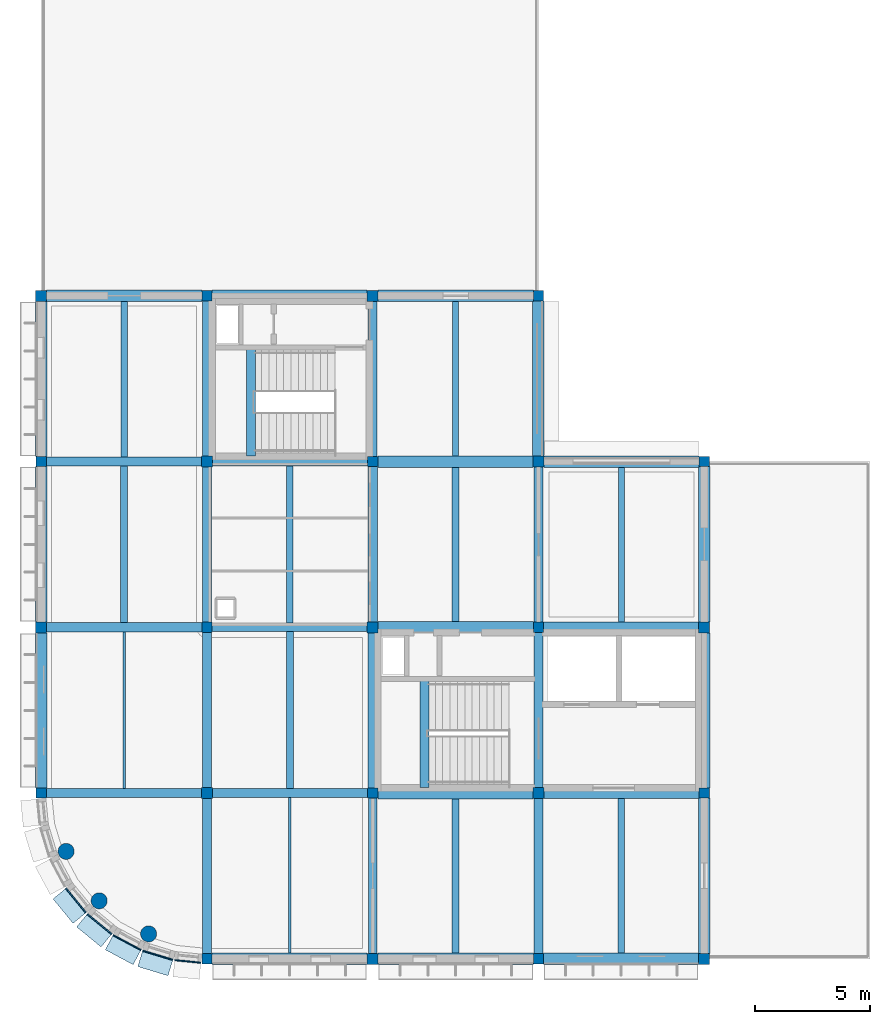
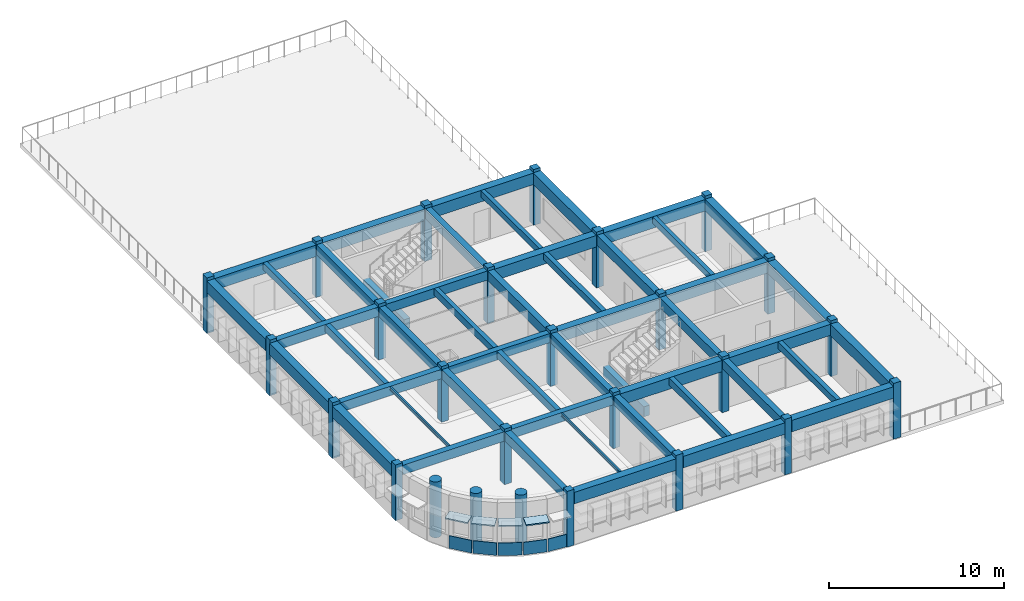
# One storey, part 1 of 7: 49 beams, 26 columns, 9 plates.
"""IFC4 building model written with IfcOpenShell, lengths in metres."""

import ifcopenshell
import ifcopenshell.guid

model = None  # the IFC model being written
_history = None  # IfcOwnerHistory: only IFC2X3 demands one
_inside = {}  # id of a spatial element -> (the spatial element, [elements in it])
_under = {}  # id of a project, library or spatial element -> (it, [spatial elements below it])
_declared = {}  # id of a project -> (the project, [libraries it declares])
_typed = {}  # id of a type object -> (the type object, [elements of that type])
_made_of = {}  # id of a material, layer set ... -> (it, [elements and type objects made of it])


def new_model(schema):
    """Start an empty IFC model of exactly this schema.

    Asked for "IFC4X3", IfcOpenShell would pick the latest addendum, in which some entities
    have other attributes; the version numbers below select the first issue.
    IFC2X3 requires an IfcOwnerHistory on every rooted entity: one is made here for all.
    """
    global model, _history
    if schema == "IFC4X3":
        model = ifcopenshell.file(schema_version=(4, 3, 0, 0))
    else:
        model = ifcopenshell.file(schema=schema)
    _inside.clear()
    _under.clear()
    _declared.clear()
    _typed.clear()
    _made_of.clear()
    _history = None
    if model.schema == "IFC2X3":
        org = make("IfcOrganization", Name="unknown")
        user = make(
            "IfcPersonAndOrganization",
            ThePerson=make("IfcPerson", FamilyName="unknown"),
            TheOrganization=org,
        )
        app = make(
            "IfcApplication",
            ApplicationDeveloper=org,
            Version="unknown",
            ApplicationFullName="unknown",
            ApplicationIdentifier="unknown",
        )
        _history = make(
            "IfcOwnerHistory",
            OwningUser=user,
            OwningApplication=app,
            ChangeAction="ADDED",
            CreationDate=0,
        )
    return model


def make(cls, **values):
    """One entity of the class cls with the attributes given. An attribute that is None is left unset."""
    return model.create_entity(
        cls, **{name: value for name, value in values.items() if value is not None}
    )


def rooted(cls, **values):
    """An entity with a GlobalId (a new one), such as an element, a storey or a relation."""
    return make(cls, GlobalId=ifcopenshell.guid.new(), OwnerHistory=_history, **values)


def si_unit(unit_type, name, prefix=None):
    """IfcSIUnit, for example si_unit("LENGTHUNIT", "METRE", prefix="MILLI")."""
    return make("IfcSIUnit", UnitType=unit_type, Prefix=prefix, Name=name)


def assignment(units):
    """IfcUnitAssignment: the units of a project."""
    return None if units is None else make("IfcUnitAssignment", Units=units)


def point(xyz):
    """IfcCartesianPoint."""
    return None if xyz is None else make("IfcCartesianPoint", Coordinates=xyz)


def direction(xyz):
    """IfcDirection."""
    return None if xyz is None else make("IfcDirection", DirectionRatios=xyz)


def frame(location, z_axis=None, x_axis=None):
    """IfcAxis2Placement3D, a coordinate frame: its origin and axes. An axis left out is left unset."""
    return make(
        "IfcAxis2Placement3D",
        Location=point(location),
        Axis=direction(z_axis),
        RefDirection=direction(x_axis),
    )


def frame_2d(location, x_axis=None):
    """IfcAxis2Placement2D, a coordinate frame in the plane: its origin and x axis."""
    return make(
        "IfcAxis2Placement2D", Location=point(location), RefDirection=direction(x_axis)
    )


def origin():
    """The frame at (0, 0, 0) with its axes left unset."""
    return frame((0.0, 0.0, 0.0))


def origin_2d():
    """The frame at (0, 0) in the plane with its x axis left unset."""
    return frame_2d((0.0, 0.0))


def place(relative_to, where):
    """IfcLocalPlacement: puts the frame where relative to a parent placement (None: the world)."""
    return make(
        "IfcLocalPlacement", PlacementRelTo=relative_to, RelativePlacement=where
    )


def context(
    kind, dimensions, precision=None, world=None, true_north=None, identifier=None
):
    """IfcGeometricRepresentationContext, for example the 3D "Model" context."""
    return make(
        "IfcGeometricRepresentationContext",
        ContextIdentifier=identifier,
        ContextType=kind,
        CoordinateSpaceDimension=dimensions,
        Precision=precision,
        WorldCoordinateSystem=world,
        TrueNorth=true_north,
    )


def subcontext(parent, identifier, kind, view, scale=None):
    """IfcGeometricRepresentationSubContext, for example "Body" below "Model"."""
    return make(
        "IfcGeometricRepresentationSubContext",
        ContextIdentifier=identifier,
        ContextType=kind,
        ParentContext=parent,
        TargetScale=scale,
        TargetView=view,
    )


def project(units=None, contexts=None):
    """IfcProject with its units and contexts."""
    return rooted(
        "IfcProject",
        Name="project",
        RepresentationContexts=contexts,
        UnitsInContext=assignment(units),
    )


def spatial(cls, under=None, at=None, **own):
    """A site, building, storey or space (cls), placed at a placement, below another one or the project."""
    s = rooted(cls, ObjectPlacement=at, **own)
    if under is not None:
        _under.setdefault(under.id(), (under, []))[1].append(s)
    return s


def profile(cls, at=None, kind="AREA", **sizes):
    """A parametric profile (cls). Its sizes go by their IFC names, for example OverallWidth=200.0."""
    return make(cls, ProfileType=kind, Position=at, **sizes)


def rectangle(**sizes):
    """IfcRectangleProfileDef."""
    return profile("IfcRectangleProfileDef", **sizes)


def circle(**sizes):
    """IfcCircleProfileDef."""
    return profile("IfcCircleProfileDef", **sizes)


def i_section(**sizes):
    """IfcIShapeProfileDef."""
    return profile("IfcIShapeProfileDef", **sizes)


def extrude(swept, where, along, depth):
    """IfcExtrudedAreaSolid: the profile swept, set in the frame where, extruded along a direction by depth."""
    return make(
        "IfcExtrudedAreaSolid",
        SweptArea=swept,
        Position=where,
        ExtrudedDirection=direction(along),
        Depth=depth,
    )


def shape(context_of_items, identifier, shape_type, items):
    """IfcShapeRepresentation: the items that make up one representation, for example the "Body"."""
    return make(
        "IfcShapeRepresentation",
        ContextOfItems=context_of_items,
        RepresentationIdentifier=identifier,
        RepresentationType=shape_type,
        Items=items,
    )


def material(Name=None, Category=None):
    """IfcMaterial."""
    return make("IfcMaterial", Name=Name, Category=Category)


def layer(
    of_material, thickness, ventilated=None, Name=None, Category=None, Priority=None
):
    """IfcMaterialLayer: one layer of a wall or slab, of a material (None: an air gap)."""
    return make(
        "IfcMaterialLayer",
        Material=of_material,
        LayerThickness=thickness,
        IsVentilated=ventilated,
        Name=Name,
        Category=Category,
        Priority=Priority,
    )


def layer_set(layers, Name=None):
    """IfcMaterialLayerSet."""
    return make("IfcMaterialLayerSet", MaterialLayers=layers, LayerSetName=Name)


def material_profile(
    of_material, cross_section, Name=None, Category=None, Priority=None
):
    """IfcMaterialProfile: a cross section and its material."""
    return make(
        "IfcMaterialProfile",
        Name=Name,
        Material=of_material,
        Profile=cross_section,
        Priority=Priority,
        Category=Category,
    )


def profile_set(profiles, Name=None, composite=None):
    """IfcMaterialProfileSet."""
    return make(
        "IfcMaterialProfileSet",
        Name=Name,
        MaterialProfiles=profiles,
        CompositeProfile=composite,
    )


def made_of(thing, what):
    """Note that an element or type object is made of a material, layer set ...; save() writes the relation."""
    if what is not None:
        _made_of.setdefault(what.id(), (what, []))[1].append(thing)
    return thing


def type_object(cls, material=None, **own):
    """A type object (cls), such as IfcWallType, which elements share."""
    return made_of(rooted(cls, **own), material)


def element(
    cls,
    number,
    at=None,
    inside=None,
    cuts=None,
    type_object=None,
    material=None,
    context=None,
    identifier="Body",
    shape_type=None,
    held_by="IfcProductDefinitionShape",
    body=None,
    shapes=None,
    **own,
):
    """One element of the class cls, such as IfcWall. Its Tag is "e" and its number.

    at: its placement. inside: the storey or other place that contains it. cuts: it is an
    opening in that element (IfcRelVoidsElement). A single representation is given by context,
    identifier, shape_type and body (its items); several are given by shapes. held_by: the class
    of the entity that holds the representations. save() writes the other relations.
    """
    e = rooted(cls, Tag="e%d" % number, ObjectPlacement=at, **own)
    if body is not None:
        shapes = [shape(context, identifier, shape_type, body)]
    if shapes is not None:
        e.Representation = make(held_by, Representations=shapes)
    if inside is not None:
        _inside.setdefault(inside.id(), (inside, []))[1].append(e)
    if cuts is not None:
        rooted(
            "IfcRelVoidsElement", RelatingBuildingElement=cuts, RelatedOpeningElement=e
        )
    if type_object is not None:
        _typed.setdefault(type_object.id(), (type_object, []))[1].append(e)
    return made_of(e, material)


def aggregate(whole, parts):
    """IfcRelAggregates: a whole, such as a stair, and the parts it consists of."""
    return rooted("IfcRelAggregates", RelatingObject=whole, RelatedObjects=parts)


def save(model, path):
    """Write the relations noted so far, then the file.

    IfcRelAggregates (storeys below a building ...), IfcRelContainedInSpatialStructure (elements
    in a storey), IfcRelDefinesByType, IfcRelAssociatesMaterial and IfcRelDeclares: one each for
    every whole, place, type object, material and project.
    """
    for whole, parts in _under.values():
        aggregate(whole, parts)
    for where, things in _inside.values():
        rooted(
            "IfcRelContainedInSpatialStructure",
            RelatedElements=things,
            RelatingStructure=where,
        )
    for kind, things in _typed.values():
        rooted("IfcRelDefinesByType", RelatedObjects=things, RelatingType=kind)
    for what, things in _made_of.values():
        rooted("IfcRelAssociatesMaterial", RelatedObjects=things, RelatingMaterial=what)
    for by, libraries in _declared.values():
        rooted("IfcRelDeclares", RelatingContext=by, RelatedDefinitions=libraries)
    model.write(path)


model = new_model("IFC4")

# Units and contexts
model_context = context("Model", 3, precision=1e-05, world=origin(), true_north=direction((0.0, 1.0)))
body_context = subcontext(model_context, "Body", "Model", "MODEL_VIEW")
ifc_project = project(units=[si_unit("LENGTHUNIT", "METRE"), si_unit("AREAUNIT", "SQUARE_METRE"), si_unit("VOLUMEUNIT", "CUBIC_METRE"), si_unit("PLANEANGLEUNIT", "RADIAN"), si_unit("MASSUNIT", "GRAM", prefix="KILO")], contexts=[model_context])

# Site, building, storey
site_placement = place(None, origin())
site = spatial("IfcSite", under=ifc_project, at=site_placement, CompositionType="ELEMENT")
building_placement = place(site_placement, origin())
building = spatial("IfcBuilding", under=site, at=building_placement, Name="Thalmaran Polytechnic", CompositionType="ELEMENT")
storey_placement = place(building_placement, frame((0.0, 0.0, 30.60009765625)))
storey = spatial("IfcBuildingStorey", under=building, at=storey_placement, Name="L07", CompositionType="ELEMENT", Elevation=30.60009765625)

# Columns
ifc_material_1 = material(Name="Concrete C40/50", Category="concrete")
ifc_material_profile_1 = material_profile(ifc_material_1, rectangle(XDim=0.449951171875, YDim=0.449951171875, at=origin_2d()), Name="RC 450x450")
ifc_profile_set_1 = profile_set([ifc_material_profile_1], Name="Concrete C40/50")
column_type_1 = type_object("IfcColumnType", Name="COL-C10", PredefinedType="COLUMN", material=ifc_profile_set_1)
for number, where, z_axis, x_axis, name in (
    (1, (0.0, 7.199951171875, 0.0), (0.0, 0.0, 1.0), (1.0, 0.0, 0.0), "Column C10 L07 (0,1)"),
    (2, (0.0, 21.60009765625, 0.0), (0.0, 0.0, 1.0), (1.0, 0.0, 0.0), "Column C10 L07 (0,3)"),
    (3, (7.199951171875, 0.0, 0.0), (0.0, 0.0, 1.0), (1.0, 0.0, 0.0), "Column C10 L07 (1,0)"),
    (4, (7.199951171875, 14.39990234375, 0.0), (0.0, 0.0, 1.0), (1.0, 0.0, 0.0), "Column C10 L07 (1,2)"),
    (5, (7.199951171875, 28.800048828125, 0.0), (0.0, 0.0, 1.0), (1.0, 0.0, 0.0), "Column C10 L07 (1,4)"),
    (6, (14.39990234375, 7.199951171875, 0.0), (0.0, 0.0, 1.0), (1.0, 0.0, 0.0), "Column C10 L07 (2,1)"),
    (7, (14.39990234375, 21.60009765625, 0.0), (0.0, 0.0, 1.0), (1.0, 0.0, 0.0), "Column C10 L07 (2,3)"),
    (8, (21.60009765625, 0.0, 0.0), (0.0, 0.0, 1.0), (1.0, 0.0, 0.0), "Column C10 L07 (3,0)"),
    (9, (21.60009765625, 14.39990234375, 0.0), (0.0, 0.0, 1.0), (1.0, 0.0, 0.0), "Column C10 L07 (3,2)"),
    (10, (21.60009765625, 28.800048828125, 0.0), (0.0, 0.0, 1.0), (1.0, 0.0, 0.0), "Column C10 L07 (3,4)"),
    (11, (28.800048828125, 7.199951171875, 0.0), (0.0, 0.0, 1.0), (1.0, 0.0, 0.0), "Column C10 L07 (4,1)"),
    (12, (28.800048828125, 21.60009765625, 0.0), (0.0, 0.0, 1.0), (1.0, 0.0, 0.0), "Column C10 L07 (4,3)"),
):
    element("IfcColumn", number, at=place(storey_placement, frame(where, z_axis=z_axis, x_axis=x_axis)), inside=storey, type_object=column_type_1, Name=name, PredefinedType="COLUMN", context=body_context, shape_type="SweptSolid", body=[
        extrude(rectangle(XDim=0.449951171875, YDim=0.449951171875, at=origin_2d()), origin(), (0.0, 0.0, 1.0), 3.89990234375),
    ])
ifc_material_profile_2 = material_profile(ifc_material_1, circle(Radius=0.35009765625, at=origin_2d()), Name="RC 700 DIA")
ifc_profile_set_2 = profile_set([ifc_material_profile_2], Name="Concrete C40/50")
column_type_2 = type_object("IfcColumnType", Name="COL-C15", PredefinedType="COLUMN", material=ifc_profile_set_2)
for number, where, z_axis, x_axis, name in (
    (13, (1.083984375, 4.666748046875, 0.0), (0.0, 0.0, 1.0), (1.0, 0.0, 0.0), "Prow Column SWP1 L07"),
    (14, (2.51904296875, 2.51904296875, 0.0), (0.0, 0.0, 1.0), (1.0, 0.0, 0.0), "Prow Column SWP2 L07"),
    (15, (4.666748046875, 1.083984375, 0.0), (0.0, 0.0, 1.0), (1.0, 0.0, 0.0), "Prow Column SWP3 L07"),
):
    element("IfcColumn", number, at=place(storey_placement, frame(where, z_axis=z_axis, x_axis=x_axis)), inside=storey, type_object=column_type_2, Name=name, PredefinedType="COLUMN", context=body_context, shape_type="SweptSolid", body=[
        extrude(circle(Radius=0.35009765625, at=origin_2d()), origin(), (0.0, 0.0, 1.0), 3.89990234375),
    ])
ifc_material_profile_3 = material_profile(ifc_material_1, rectangle(XDim=0.47998046875, YDim=0.47998046875, at=origin_2d()), Name="RC 480x480")
ifc_profile_set_3 = profile_set([ifc_material_profile_3], Name="Concrete C40/50")
column_type_3 = type_object("IfcColumnType", Name="COL-ZC09", PredefinedType="COLUMN", material=ifc_profile_set_3)
for number, where, z_axis, x_axis, name in (
    (16, (0.0, 14.39990234375, 0.0), (0.0, 0.0, 1.0), (1.0, 0.0, 0.0), "Column ZC09 L07 (0,2)"),
    (17, (0.0, 28.800048828125, 0.0), (0.0, 0.0, 1.0), (1.0, 0.0, 0.0), "Column ZC09 L07 (0,4)"),
    (18, (7.199951171875, 7.199951171875, 0.0), (0.0, 0.0, 1.0), (1.0, 0.0, 0.0), "Column ZC09 L07 (1,1)"),
    (19, (7.199951171875, 21.60009765625, 0.0), (0.0, 0.0, 1.0), (1.0, 0.0, 0.0), "Column ZC09 L07 (1,3)"),
    (20, (14.39990234375, 0.0, 0.0), (0.0, 0.0, 1.0), (1.0, 0.0, 0.0), "Column ZC09 L07 (2,0)"),
    (21, (14.39990234375, 14.39990234375, 0.0), (0.0, 0.0, 1.0), (1.0, 0.0, 0.0), "Column ZC09 L07 (2,2)"),
    (22, (14.39990234375, 28.800048828125, 0.0), (0.0, 0.0, 1.0), (1.0, 0.0, 0.0), "Column ZC09 L07 (2,4)"),
    (23, (21.60009765625, 7.199951171875, 0.0), (0.0, 0.0, 1.0), (1.0, 0.0, 0.0), "Column ZC09 L07 (3,1)"),
    (24, (21.60009765625, 21.60009765625, 0.0), (0.0, 0.0, 1.0), (1.0, 0.0, 0.0), "Column ZC09 L07 (3,3)"),
    (25, (28.800048828125, 0.0, 0.0), (0.0, 0.0, 1.0), (1.0, 0.0, 0.0), "Column ZC09 L07 (4,0)"),
    (26, (28.800048828125, 14.39990234375, 0.0), (0.0, 0.0, 1.0), (1.0, 0.0, 0.0), "Column ZC09 L07 (4,2)"),
):
    element("IfcColumn", number, at=place(storey_placement, frame(where, z_axis=z_axis, x_axis=x_axis)), inside=storey, type_object=column_type_3, Name=name, PredefinedType="COLUMN", context=body_context, shape_type="SweptSolid", body=[
        extrude(rectangle(XDim=0.47998046875, YDim=0.47998046875, at=origin_2d()), origin(), (0.0, 0.0, 1.0), 3.89990234375),
    ])

# Beams
ifc_material_profile_4 = material_profile(ifc_material_1, rectangle(XDim=0.5, YDim=0.800048828125, at=origin_2d()), Name="RC 500x800")
ifc_profile_set_4 = profile_set([ifc_material_profile_4], Name="Concrete C40/50")
beam_type_1 = type_object("IfcBeamType", Name="BM-RC02", PredefinedType="BEAM", material=ifc_profile_set_4)
for number, where, z_axis, x_axis, name in (
    (27, (14.625, 7.199951171875, 3.284912109375), (1.0, 0.0, 0.0), (0.0, 1.0, 0.0), "Grid Beam B02 L07 X(2,1)"),
    (28, (14.639892578125, 14.39990234375, 3.284912109375), (1.0, 0.0, 0.0), (0.0, 1.0, 0.0), "Grid Beam B02 L07 X(2,2)"),
    (29, (14.625, 21.60009765625, 3.284912109375), (1.0, 0.0, 0.0), (0.0, 1.0, 0.0), "Grid Beam B02 L07 X(2,3)"),
):
    element("IfcBeam", number, at=place(storey_placement, frame(where, z_axis=z_axis, x_axis=x_axis)), inside=storey, type_object=beam_type_1, Name=name, PredefinedType="BEAM", context=body_context, shape_type="SweptSolid", body=[
        extrude(rectangle(XDim=0.5, YDim=0.800048828125, at=origin_2d()), origin(), (0.0, 0.0, 1.0), 6.735107421875),
    ])
ifc_material_profile_5 = material_profile(ifc_material_1, rectangle(XDim=0.39990234375, YDim=0.64990234375, at=origin_2d()), Name="RC 400x650")
ifc_profile_set_5 = profile_set([ifc_material_profile_5], Name="Concrete C40/50")
beam_type_2 = type_object("IfcBeamType", Name="BM-RC06", PredefinedType="BEAM", material=ifc_profile_set_5)
beam_1_placement = place(storey_placement, frame((0.22509765625, 7.199951171875, 3.35986328125), z_axis=(1.0, 0.0, 0.0), x_axis=(0.0, 1.0, 0.0)))
element("IfcBeam", 30, at=beam_1_placement, inside=storey, type_object=beam_type_2, Name="Grid Beam B06 L07 X(0,1)", PredefinedType="BEAM", context=body_context, shape_type="SweptSolid", body=[
    extrude(rectangle(XDim=0.39990234375, YDim=0.64990234375, at=origin_2d()), origin(), (0.0, 0.0, 1.0), 6.73486328125),
])
beam_2_placement = place(storey_placement, frame((0.239990234375, 14.39990234375, 3.35986328125), z_axis=(1.0, 0.0, 0.0), x_axis=(0.0, 1.0, 0.0)))
element("IfcBeam", 31, at=beam_2_placement, inside=storey, type_object=beam_type_2, Name="Grid Beam B06 L07 X(0,2)", PredefinedType="BEAM", context=body_context, shape_type="SweptSolid", body=[
    extrude(rectangle(XDim=0.39990234375, YDim=0.64990234375, at=origin_2d()), origin(), (0.0, 0.0, 1.0), 6.735107421875),
])
beam_3_placement = place(storey_placement, frame((0.22509765625, 21.60009765625, 3.35986328125), z_axis=(1.0, 0.0, 0.0), x_axis=(0.0, 1.0, 0.0)))
element("IfcBeam", 32, at=beam_3_placement, inside=storey, type_object=beam_type_2, Name="Grid Beam B06 L07 X(0,3)", PredefinedType="BEAM", context=body_context, shape_type="SweptSolid", body=[
    extrude(rectangle(XDim=0.39990234375, YDim=0.64990234375, at=origin_2d()), origin(), (0.0, 0.0, 1.0), 6.73486328125),
])
ifc_material_profile_6 = material_profile(ifc_material_1, rectangle(XDim=0.389892578125, YDim=0.68505859375, at=origin_2d()), Name="RC 390x685")
ifc_profile_set_6 = profile_set([ifc_material_profile_6], Name="Concrete C40/50")
beam_type_3 = type_object("IfcBeamType", Name="BM-RC08", PredefinedType="BEAM", material=ifc_profile_set_6)
beam_4_placement = place(storey_placement, frame((7.199951171875, 7.43994140625, 3.34228515625), z_axis=(0.0, 1.0, 0.0), x_axis=(-1.0, 0.0, 0.0)))
element("IfcBeam", 33, at=beam_4_placement, inside=storey, type_object=beam_type_3, Name="Grid Beam B08 L07 Y(1,1)", PredefinedType="BEAM", context=body_context, shape_type="SweptSolid", body=[
    extrude(rectangle(XDim=0.389892578125, YDim=0.68505859375, at=origin_2d()), origin(), (0.0, 0.0, 1.0), 6.735107421875),
])
beam_5_placement = place(storey_placement, frame((14.39990234375, 7.425048828125, 3.34228515625), z_axis=(0.0, 1.0, 0.0), x_axis=(-1.0, 0.0, 0.0)))
element("IfcBeam", 34, at=beam_5_placement, inside=storey, type_object=beam_type_3, Name="Grid Beam B08 L07 Y(2,1)", PredefinedType="BEAM", context=body_context, shape_type="SweptSolid", body=[
    extrude(rectangle(XDim=0.389892578125, YDim=0.68505859375, at=origin_2d()), origin(), (0.0, 0.0, 1.0), 6.73486328125),
])
beam_6_placement = place(storey_placement, frame((21.60009765625, 7.43994140625, 3.34228515625), z_axis=(0.0, 1.0, 0.0), x_axis=(-1.0, 0.0, 0.0)))
element("IfcBeam", 35, at=beam_6_placement, inside=storey, type_object=beam_type_3, Name="Grid Beam B08 L07 Y(3,1)", PredefinedType="BEAM", context=body_context, shape_type="SweptSolid", body=[
    extrude(rectangle(XDim=0.389892578125, YDim=0.68505859375, at=origin_2d()), origin(), (0.0, 0.0, 1.0), 6.735107421875),
])
ifc_material_profile_7 = material_profile(ifc_material_1, rectangle(XDim=0.389892578125, YDim=0.68994140625, at=origin_2d()), Name="RC 390x690")
ifc_profile_set_7 = profile_set([ifc_material_profile_7], Name="Concrete C40/50")
beam_type_4 = type_object("IfcBeamType", Name="BM-RC09", PredefinedType="BEAM", material=ifc_profile_set_7)
beam_7_placement = place(storey_placement, frame((7.199951171875, 21.840087890625, 3.33984375), z_axis=(0.0, 1.0, 0.0), x_axis=(-1.0, 0.0, 0.0)))
element("IfcBeam", 36, at=beam_7_placement, inside=storey, type_object=beam_type_4, Name="Grid Beam B09 L07 Y(1,3)", PredefinedType="BEAM", context=body_context, shape_type="SweptSolid", body=[
    extrude(rectangle(XDim=0.389892578125, YDim=0.68994140625, at=origin_2d()), origin(), (0.0, 0.0, 1.0), 6.73486328125),
])
beam_8_placement = place(storey_placement, frame((14.39990234375, 21.824951171875, 3.33984375), z_axis=(0.0, 1.0, 0.0), x_axis=(-1.0, 0.0, 0.0)))
element("IfcBeam", 37, at=beam_8_placement, inside=storey, type_object=beam_type_4, Name="Grid Beam B09 L07 Y(2,3)", PredefinedType="BEAM", context=body_context, shape_type="SweptSolid", body=[
    extrude(rectangle(XDim=0.389892578125, YDim=0.68994140625, at=origin_2d()), origin(), (0.0, 0.0, 1.0), 6.735107421875),
])
ifc_material_profile_8 = material_profile(ifc_material_1, rectangle(XDim=0.389892578125, YDim=0.695068359375, at=origin_2d()), Name="RC 390x695")
ifc_profile_set_8 = profile_set([ifc_material_profile_8], Name="Concrete C40/50")
beam_type_5 = type_object("IfcBeamType", Name="BM-RC10", PredefinedType="BEAM", material=ifc_profile_set_8)
for number, where, z_axis, x_axis, name in (
    (38, (16.659912109375, 7.43994140625, 1.489990234375), (0.0, 1.0, 0.0), (-1.0, 0.0, 0.0), "ST1 L07 Half-Landing Trimmer Beam"),
    (39, (9.1201171875, 21.840087890625, 1.489990234375), (0.0, 1.0, 0.0), (-1.0, 0.0, 0.0), "ST3 L07 Half-Landing Trimmer Beam"),
):
    element("IfcBeam", number, at=place(storey_placement, frame(where, z_axis=z_axis, x_axis=x_axis)), inside=storey, type_object=beam_type_5, Name=name, PredefinedType="BEAM", context=body_context, shape_type="SweptSolid", body=[
        extrude(rectangle(XDim=0.389892578125, YDim=0.695068359375, at=origin_2d()), origin(), (0.0, 0.0, 1.0), 4.699951171875),
    ])
ifc_material_profile_9 = material_profile(ifc_material_1, rectangle(XDim=0.300048828125, YDim=0.5, at=origin_2d()), Name="RC 300x500")
ifc_profile_set_9 = profile_set([ifc_material_profile_9], Name="Concrete C40/50")
beam_type_6 = type_object("IfcBeamType", Name="BM-RC11", PredefinedType="JOIST", material=ifc_profile_set_9)
beam_9_placement = place(storey_placement, frame((3.60009765625, 14.60009765625, 3.434814453125), z_axis=(0.0, 1.0, 0.0), x_axis=(-1.0, 0.0, 0.0)))
element("IfcBeam", 40, at=beam_9_placement, inside=storey, type_object=beam_type_6, Name="Secondary Floor Rib RB01 L07 (0,2)", PredefinedType="JOIST", context=body_context, shape_type="SweptSolid", body=[
    extrude(rectangle(XDim=0.300048828125, YDim=0.5, at=origin_2d()), origin(), (0.0, 0.0, 1.0), 6.7998046875),
])
beam_10_placement = place(storey_placement, frame((10.800048828125, 7.389892578125, 3.434814453125), z_axis=(0.0, 1.0, 0.0), x_axis=(-1.0, 0.0, 0.0)))
element("IfcBeam", 41, at=beam_10_placement, inside=storey, type_object=beam_type_6, Name="Secondary Floor Rib RB01 L07 (1,1)", PredefinedType="JOIST", context=body_context, shape_type="SweptSolid", body=[
    extrude(rectangle(XDim=0.300048828125, YDim=0.5, at=origin_2d()), origin(), (0.0, 0.0, 1.0), 6.820068359375),
])
beam_11_placement = place(storey_placement, frame((18.0, 0.25, 3.434814453125), z_axis=(0.0, 1.0, 0.0), x_axis=(-1.0, 0.0, 0.0)))
element("IfcBeam", 42, at=beam_11_placement, inside=storey, type_object=beam_type_6, Name="Secondary Floor Rib RB01 L07 (2,0)", PredefinedType="JOIST", context=body_context, shape_type="SweptSolid", body=[
    extrude(rectangle(XDim=0.300048828125, YDim=0.5, at=origin_2d()), origin(), (0.0, 0.0, 1.0), 6.699951171875),
])
ifc_material_profile_10 = material_profile(ifc_material_1, rectangle(XDim=0.300048828125, YDim=0.449951171875, at=origin_2d()), Name="RC 300x450")
ifc_profile_set_10 = profile_set([ifc_material_profile_10], Name="Concrete C40/50")
beam_type_7 = type_object("IfcBeamType", Name="BM-RC12", PredefinedType="JOIST", material=ifc_profile_set_10)
beam_12_placement = place(storey_placement, frame((18.0, 14.64990234375, 3.4599609375), z_axis=(0.0, 1.0, 0.0), x_axis=(-1.0, 0.0, 0.0)))
element("IfcBeam", 43, at=beam_12_placement, inside=storey, type_object=beam_type_7, Name="Secondary Floor Rib RB02 L07 (2,2)", PredefinedType="JOIST", context=body_context, shape_type="SweptSolid", body=[
    extrude(rectangle(XDim=0.300048828125, YDim=0.449951171875, at=origin_2d()), origin(), (0.0, 0.0, 1.0), 6.7001953125),
])
ifc_material_2 = material(Name="Steel S355", Category="steel")
ifc_material_profile_11 = material_profile(ifc_material_2, i_section(OverallWidth=0.110107421875, OverallDepth=0.219970703125, WebThickness=0.005859375, FlangeThickness=0.00927734375, at=origin_2d()), Name="IPE 220")
ifc_profile_set_11 = profile_set([ifc_material_profile_11], Name="Steel S355")
beam_type_8 = type_object("IfcBeamType", Name="BM-SJ04", PredefinedType="JOIST", material=ifc_profile_set_11)
beam_13_placement = place(storey_placement, frame((3.60009765625, 7.39990234375, 3.574951171875), z_axis=(0.0, 1.0, 0.0), x_axis=(-1.0, 0.0, 0.0)))
element("IfcBeam", 44, at=beam_13_placement, inside=storey, type_object=beam_type_8, Name="Secondary Floor Rib SJ04 L07 (0,1)", PredefinedType="JOIST", context=body_context, shape_type="SweptSolid", body=[
    extrude(i_section(OverallWidth=0.110107421875, OverallDepth=0.219970703125, WebThickness=0.005859375, FlangeThickness=0.00927734375, at=origin_2d()), origin(), (0.0, 0.0, 1.0), 6.800048828125),
])
beam_14_placement = place(storey_placement, frame((10.800048828125, 0.25, 3.574951171875), z_axis=(0.0, 1.0, 0.0), x_axis=(-1.0, 0.0, 0.0)))
element("IfcBeam", 45, at=beam_14_placement, inside=storey, type_object=beam_type_8, Name="Secondary Floor Rib SJ04 L07 (1,0)", PredefinedType="JOIST", context=body_context, shape_type="SweptSolid", body=[
    extrude(i_section(OverallWidth=0.110107421875, OverallDepth=0.219970703125, WebThickness=0.005859375, FlangeThickness=0.00927734375, at=origin_2d()), origin(), (0.0, 0.0, 1.0), 6.760009765625),
])
ifc_material_profile_12 = material_profile(ifc_material_1, rectangle(XDim=0.5, YDim=0.804931640625, at=origin_2d()), Name="RC 500x805")
ifc_profile_set_12 = profile_set([ifc_material_profile_12], Name="Concrete C40/50")
beam_type_9 = type_object("IfcBeamType", Name="BM-SP03", PredefinedType="SPANDREL", material=ifc_profile_set_12)
beam_15_placement = place(storey_placement, frame((0.239990234375, 28.800048828125, 3.282470703125), z_axis=(1.0, 0.0, 0.0), x_axis=(0.0, 1.0, 0.0)))
element("IfcBeam", 46, at=beam_15_placement, inside=storey, type_object=beam_type_9, Name="Grid Beam SP03 L07 X(0,4)", PredefinedType="SPANDREL", context=body_context, shape_type="SweptSolid", body=[
    extrude(rectangle(XDim=0.5, YDim=0.804931640625, at=origin_2d()), origin(), (0.0, 0.0, 1.0), 6.735107421875),
])
for number, where, z_axis, x_axis, name in (
    (47, (7.425048828125, 0.0, 3.282470703125), (1.0, 0.0, 0.0), (0.0, 1.0, 0.0), "Grid Beam SP03 L07 X(1,0)"),
    (48, (7.425048828125, 28.800048828125, 3.282470703125), (1.0, 0.0, 0.0), (0.0, 1.0, 0.0), "Grid Beam SP03 L07 X(1,4)"),
):
    element("IfcBeam", number, at=place(storey_placement, frame(where, z_axis=z_axis, x_axis=x_axis)), inside=storey, type_object=beam_type_9, Name=name, PredefinedType="SPANDREL", context=body_context, shape_type="SweptSolid", body=[
        extrude(rectangle(XDim=0.5, YDim=0.804931640625, at=origin_2d()), origin(), (0.0, 0.0, 1.0), 6.73486328125),
    ])
for number, where, z_axis, x_axis, name in (
    (49, (14.639892578125, 0.0, 3.282470703125), (1.0, 0.0, 0.0), (0.0, 1.0, 0.0), "Grid Beam SP03 L07 X(2,0)"),
    (50, (14.639892578125, 28.800048828125, 3.282470703125), (1.0, 0.0, 0.0), (0.0, 1.0, 0.0), "Grid Beam SP03 L07 X(2,4)"),
    (51, (21.824951171875, 0.0, 3.282470703125), (1.0, 0.0, 0.0), (0.0, 1.0, 0.0), "Grid Beam SP03 L07 X(3,0)"),
):
    element("IfcBeam", number, at=place(storey_placement, frame(where, z_axis=z_axis, x_axis=x_axis)), inside=storey, type_object=beam_type_9, Name=name, PredefinedType="SPANDREL", context=body_context, shape_type="SweptSolid", body=[
        extrude(rectangle(XDim=0.5, YDim=0.804931640625, at=origin_2d()), origin(), (0.0, 0.0, 1.0), 6.735107421875),
    ])
for number, where, z_axis, x_axis, name in (
    (52, (21.840087890625, 21.60009765625, 3.282470703125), (1.0, 0.0, 0.0), (0.0, 1.0, 0.0), "Grid Beam SP03 L07 X(3,3)"),
    (53, (0.0, 7.425048828125, 3.282470703125), (0.0, 1.0, 0.0), (-1.0, 0.0, 0.0), "Grid Beam SP03 L07 Y(0,1)"),
):
    element("IfcBeam", number, at=place(storey_placement, frame(where, z_axis=z_axis, x_axis=x_axis)), inside=storey, type_object=beam_type_9, Name=name, PredefinedType="SPANDREL", context=body_context, shape_type="SweptSolid", body=[
        extrude(rectangle(XDim=0.5, YDim=0.804931640625, at=origin_2d()), origin(), (0.0, 0.0, 1.0), 6.73486328125),
    ])
for number, where, z_axis, x_axis, name in (
    (54, (0.0, 14.639892578125, 3.282470703125), (0.0, 1.0, 0.0), (-1.0, 0.0, 0.0), "Grid Beam SP03 L07 Y(0,2)"),
    (55, (0.0, 21.824951171875, 3.282470703125), (0.0, 1.0, 0.0), (-1.0, 0.0, 0.0), "Grid Beam SP03 L07 Y(0,3)"),
):
    element("IfcBeam", number, at=place(storey_placement, frame(where, z_axis=z_axis, x_axis=x_axis)), inside=storey, type_object=beam_type_9, Name=name, PredefinedType="SPANDREL", context=body_context, shape_type="SweptSolid", body=[
        extrude(rectangle(XDim=0.5, YDim=0.804931640625, at=origin_2d()), origin(), (0.0, 0.0, 1.0), 6.735107421875),
    ])
beam_16_placement = place(storey_placement, frame((21.60009765625, 21.840087890625, 3.282470703125), z_axis=(0.0, 1.0, 0.0), x_axis=(-1.0, 0.0, 0.0)))
element("IfcBeam", 56, at=beam_16_placement, inside=storey, type_object=beam_type_9, Name="Grid Beam SP03 L07 Y(3,3)", PredefinedType="SPANDREL", context=body_context, shape_type="SweptSolid", body=[
    extrude(rectangle(XDim=0.5, YDim=0.804931640625, at=origin_2d()), origin(), (0.0, 0.0, 1.0), 6.73486328125),
])
beam_17_placement = place(storey_placement, frame((28.800048828125, 0.239990234375, 3.282470703125), z_axis=(0.0, 1.0, 0.0), x_axis=(-1.0, 0.0, 0.0)))
element("IfcBeam", 57, at=beam_17_placement, inside=storey, type_object=beam_type_9, Name="Grid Beam SP03 L07 Y(4,0)", PredefinedType="SPANDREL", context=body_context, shape_type="SweptSolid", body=[
    extrude(rectangle(XDim=0.5, YDim=0.804931640625, at=origin_2d()), origin(), (0.0, 0.0, 1.0), 6.735107421875),
])
beam_18_placement = place(storey_placement, frame((28.800048828125, 7.425048828125, 3.282470703125), z_axis=(0.0, 1.0, 0.0), x_axis=(-1.0, 0.0, 0.0)))
element("IfcBeam", 58, at=beam_18_placement, inside=storey, type_object=beam_type_9, Name="Grid Beam SP03 L07 Y(4,1)", PredefinedType="SPANDREL", context=body_context, shape_type="SweptSolid", body=[
    extrude(rectangle(XDim=0.5, YDim=0.804931640625, at=origin_2d()), origin(), (0.0, 0.0, 1.0), 6.73486328125),
])
beam_19_placement = place(storey_placement, frame((28.800048828125, 14.639892578125, 3.282470703125), z_axis=(0.0, 1.0, 0.0), x_axis=(-1.0, 0.0, 0.0)))
element("IfcBeam", 59, at=beam_19_placement, inside=storey, type_object=beam_type_9, Name="Grid Beam SP03 L07 Y(4,2)", PredefinedType="SPANDREL", context=body_context, shape_type="SweptSolid", body=[
    extrude(rectangle(XDim=0.5, YDim=0.804931640625, at=origin_2d()), origin(), (0.0, 0.0, 1.0), 6.735107421875),
])
ifc_material_profile_13 = material_profile(ifc_material_1, rectangle(XDim=0.47998046875, YDim=0.780029296875, at=origin_2d()), Name="RC 480x780")
ifc_profile_set_13 = profile_set([ifc_material_profile_13], Name="Concrete C40/50")
beam_type_10 = type_object("IfcBeamType", Name="BM-ZB01", PredefinedType="BEAM", material=ifc_profile_set_13)
beam_20_placement = place(storey_placement, frame((21.840087890625, 7.199951171875, 3.294921875), z_axis=(1.0, 0.0, 0.0), x_axis=(0.0, 1.0, 0.0)))
element("IfcBeam", 60, at=beam_20_placement, inside=storey, type_object=beam_type_10, Name="Grid Beam ZB01 L07 X(3,1)", PredefinedType="BEAM", context=body_context, shape_type="SweptSolid", body=[
    extrude(rectangle(XDim=0.47998046875, YDim=0.780029296875, at=origin_2d()), origin(), (0.0, 0.0, 1.0), 6.73486328125),
])
beam_21_placement = place(storey_placement, frame((21.824951171875, 14.39990234375, 3.294921875), z_axis=(1.0, 0.0, 0.0), x_axis=(0.0, 1.0, 0.0)))
element("IfcBeam", 61, at=beam_21_placement, inside=storey, type_object=beam_type_10, Name="Grid Beam ZB01 L07 X(3,2)", PredefinedType="BEAM", context=body_context, shape_type="SweptSolid", body=[
    extrude(rectangle(XDim=0.47998046875, YDim=0.780029296875, at=origin_2d()), origin(), (0.0, 0.0, 1.0), 6.735107421875),
])
ifc_material_profile_14 = material_profile(ifc_material_1, rectangle(XDim=0.3798828125, YDim=0.639892578125, at=origin_2d()), Name="RC 380x640")
ifc_profile_set_14 = profile_set([ifc_material_profile_14], Name="Concrete C40/50")
beam_type_11 = type_object("IfcBeamType", Name="BM-ZB05", PredefinedType="BEAM", material=ifc_profile_set_14)
beam_22_placement = place(storey_placement, frame((7.43994140625, 7.199951171875, 3.364990234375), z_axis=(1.0, 0.0, 0.0), x_axis=(0.0, 1.0, 0.0)))
element("IfcBeam", 62, at=beam_22_placement, inside=storey, type_object=beam_type_11, Name="Grid Beam ZB05 L07 X(1,1)", PredefinedType="BEAM", context=body_context, shape_type="SweptSolid", body=[
    extrude(rectangle(XDim=0.3798828125, YDim=0.639892578125, at=origin_2d()), origin(), (0.0, 0.0, 1.0), 6.735107421875),
])
beam_23_placement = place(storey_placement, frame((7.425048828125, 14.39990234375, 3.364990234375), z_axis=(1.0, 0.0, 0.0), x_axis=(0.0, 1.0, 0.0)))
element("IfcBeam", 63, at=beam_23_placement, inside=storey, type_object=beam_type_11, Name="Grid Beam ZB05 L07 X(1,2)", PredefinedType="BEAM", context=body_context, shape_type="SweptSolid", body=[
    extrude(rectangle(XDim=0.3798828125, YDim=0.639892578125, at=origin_2d()), origin(), (0.0, 0.0, 1.0), 6.73486328125),
])
beam_24_placement = place(storey_placement, frame((7.43994140625, 21.60009765625, 3.364990234375), z_axis=(1.0, 0.0, 0.0), x_axis=(0.0, 1.0, 0.0)))
element("IfcBeam", 64, at=beam_24_placement, inside=storey, type_object=beam_type_11, Name="Grid Beam ZB05 L07 X(1,3)", PredefinedType="BEAM", context=body_context, shape_type="SweptSolid", body=[
    extrude(rectangle(XDim=0.3798828125, YDim=0.639892578125, at=origin_2d()), origin(), (0.0, 0.0, 1.0), 6.735107421875),
])
ifc_material_profile_15 = material_profile(ifc_material_1, rectangle(XDim=0.3798828125, YDim=0.635009765625, at=origin_2d()), Name="RC 380x635")
ifc_profile_set_15 = profile_set([ifc_material_profile_15], Name="Concrete C40/50")
beam_type_12 = type_object("IfcBeamType", Name="BM-ZB06", PredefinedType="BEAM", material=ifc_profile_set_15)
beam_25_placement = place(storey_placement, frame((7.199951171875, 0.22509765625, 3.367431640625), z_axis=(0.0, 1.0, 0.0), x_axis=(-1.0, 0.0, 0.0)))
element("IfcBeam", 65, at=beam_25_placement, inside=storey, type_object=beam_type_12, Name="Grid Beam ZB06 L07 Y(1,0)", PredefinedType="BEAM", context=body_context, shape_type="SweptSolid", body=[
    extrude(rectangle(XDim=0.3798828125, YDim=0.635009765625, at=origin_2d()), origin(), (0.0, 0.0, 1.0), 6.73486328125),
])
beam_26_placement = place(storey_placement, frame((14.39990234375, 0.239990234375, 3.367431640625), z_axis=(0.0, 1.0, 0.0), x_axis=(-1.0, 0.0, 0.0)))
element("IfcBeam", 66, at=beam_26_placement, inside=storey, type_object=beam_type_12, Name="Grid Beam ZB06 L07 Y(2,0)", PredefinedType="BEAM", context=body_context, shape_type="SweptSolid", body=[
    extrude(rectangle(XDim=0.3798828125, YDim=0.635009765625, at=origin_2d()), origin(), (0.0, 0.0, 1.0), 6.735107421875),
])
beam_27_placement = place(storey_placement, frame((21.60009765625, 0.22509765625, 3.367431640625), z_axis=(0.0, 1.0, 0.0), x_axis=(-1.0, 0.0, 0.0)))
element("IfcBeam", 67, at=beam_27_placement, inside=storey, type_object=beam_type_12, Name="Grid Beam ZB06 L07 Y(3,0)", PredefinedType="BEAM", context=body_context, shape_type="SweptSolid", body=[
    extrude(rectangle(XDim=0.3798828125, YDim=0.635009765625, at=origin_2d()), origin(), (0.0, 0.0, 1.0), 6.73486328125),
])
ifc_material_profile_16 = material_profile(ifc_material_1, rectangle(XDim=0.39990234375, YDim=0.68505859375, at=origin_2d()), Name="RC 400x685")
ifc_profile_set_16 = profile_set([ifc_material_profile_16], Name="Concrete C40/50")
beam_type_13 = type_object("IfcBeamType", Name="BM-ZB07", PredefinedType="BEAM", material=ifc_profile_set_16)
for number, where, z_axis, x_axis, name in (
    (68, (7.199951171875, 14.625, 3.34228515625), (0.0, 1.0, 0.0), (-1.0, 0.0, 0.0), "Grid Beam ZB07 L07 Y(1,2)"),
    (69, (14.39990234375, 14.639892578125, 3.34228515625), (0.0, 1.0, 0.0), (-1.0, 0.0, 0.0), "Grid Beam ZB07 L07 Y(2,2)"),
    (70, (21.60009765625, 14.625, 3.34228515625), (0.0, 1.0, 0.0), (-1.0, 0.0, 0.0), "Grid Beam ZB07 L07 Y(3,2)"),
):
    element("IfcBeam", number, at=place(storey_placement, frame(where, z_axis=z_axis, x_axis=x_axis)), inside=storey, type_object=beam_type_13, Name=name, PredefinedType="BEAM", context=body_context, shape_type="SweptSolid", body=[
        extrude(rectangle(XDim=0.39990234375, YDim=0.68505859375, at=origin_2d()), origin(), (0.0, 0.0, 1.0), 6.735107421875),
    ])
ifc_material_profile_17 = material_profile(ifc_material_1, rectangle(XDim=0.280029296875, YDim=0.47998046875, at=origin_2d()), Name="RC 280x480")
ifc_profile_set_17 = profile_set([ifc_material_profile_17], Name="Concrete C40/50")
beam_type_14 = type_object("IfcBeamType", Name="BM-ZJ01", PredefinedType="JOIST", material=ifc_profile_set_17)
beam_28_placement = place(storey_placement, frame((3.60009765625, 21.800048828125, 3.44482421875), z_axis=(0.0, 1.0, 0.0), x_axis=(-1.0, 0.0, 0.0)))
element("IfcBeam", 71, at=beam_28_placement, inside=storey, type_object=beam_type_14, Name="Secondary Floor Rib ZJ01 L07 (0,3)", PredefinedType="JOIST", context=body_context, shape_type="SweptSolid", body=[
    extrude(rectangle(XDim=0.280029296875, YDim=0.47998046875, at=origin_2d()), origin(), (0.0, 0.0, 1.0), 6.75),
])
beam_29_placement = place(storey_placement, frame((10.800048828125, 14.590087890625, 3.44482421875), z_axis=(0.0, 1.0, 0.0), x_axis=(-1.0, 0.0, 0.0)))
element("IfcBeam", 72, at=beam_29_placement, inside=storey, type_object=beam_type_14, Name="Secondary Floor Rib ZJ01 L07 (1,2)", PredefinedType="JOIST", context=body_context, shape_type="SweptSolid", body=[
    extrude(rectangle(XDim=0.280029296875, YDim=0.47998046875, at=origin_2d()), origin(), (0.0, 0.0, 1.0), 6.81982421875),
])
beam_30_placement = place(storey_placement, frame((25.199951171875, 0.25, 3.44482421875), z_axis=(0.0, 1.0, 0.0), x_axis=(-1.0, 0.0, 0.0)))
element("IfcBeam", 73, at=beam_30_placement, inside=storey, type_object=beam_type_14, Name="Secondary Floor Rib ZJ01 L07 (3,0)", PredefinedType="JOIST", context=body_context, shape_type="SweptSolid", body=[
    extrude(rectangle(XDim=0.280029296875, YDim=0.47998046875, at=origin_2d()), origin(), (0.0, 0.0, 1.0), 6.7099609375),
])
ifc_material_profile_18 = material_profile(ifc_material_1, rectangle(XDim=0.260009765625, YDim=0.43994140625, at=origin_2d()), Name="RC 260x440")
ifc_profile_set_18 = profile_set([ifc_material_profile_18], Name="Concrete C40/50")
beam_type_15 = type_object("IfcBeamType", Name="BM-ZJ02", PredefinedType="JOIST", material=ifc_profile_set_18)
beam_31_placement = place(storey_placement, frame((18.0, 21.85009765625, 3.46484375), z_axis=(0.0, 1.0, 0.0), x_axis=(-1.0, 0.0, 0.0)))
element("IfcBeam", 74, at=beam_31_placement, inside=storey, type_object=beam_type_15, Name="Secondary Floor Rib ZJ02 L07 (2,3)", PredefinedType="JOIST", context=body_context, shape_type="SweptSolid", body=[
    extrude(rectangle(XDim=0.260009765625, YDim=0.43994140625, at=origin_2d()), origin(), (0.0, 0.0, 1.0), 6.699951171875),
])
beam_32_placement = place(storey_placement, frame((25.199951171875, 14.639892578125, 3.46484375), z_axis=(0.0, 1.0, 0.0), x_axis=(-1.0, 0.0, 0.0)))
element("IfcBeam", 75, at=beam_32_placement, inside=storey, type_object=beam_type_15, Name="Secondary Floor Rib ZJ02 L07 (3,2)", PredefinedType="JOIST", context=body_context, shape_type="SweptSolid", body=[
    extrude(rectangle(XDim=0.260009765625, YDim=0.43994140625, at=origin_2d()), origin(), (0.0, 0.0, 1.0), 6.710205078125),
])

# Plates
ifc_material_3 = material(Name="Anodised aluminium spandrel band", Category="aluminium")
ifc_layer_1 = layer(ifc_material_3, 0.054931640625, Name="Anodised aluminium spandrel band")
ifc_layer_set_1 = layer_set([ifc_layer_1], Name="Anodised aluminium spandrel band")
plate_type_1 = type_object("IfcPlateType", Name="PT-BD01", PredefinedType="SHEET", material=ifc_layer_set_1)
for number, where, z_axis, x_axis, name in (
    (76, (2.53076171875, 1.510498046875, 0.02001953125), (0.0, 0.0, 1.0), (-0.773010453363, 0.634393284164, 0.0), "Streamline Horizontal Spandrel Band L07-001"),
    (77, (1.510498046875, 2.53076171875, 0.02001953125), (0.0, 0.0, 1.0), (-0.634393284164, 0.773010453363, 0.0), "Streamline Horizontal Spandrel Band L07-002"),
):
    element("IfcPlate", number, at=place(storey_placement, frame(where, z_axis=z_axis, x_axis=x_axis)), inside=storey, type_object=plate_type_1, Name=name, PredefinedType="SHEET", context=body_context, shape_type="SweptSolid", body=[
        extrude(rectangle(XDim=1.371337890625, YDim=0.054931640625, at=origin_2d()), origin(), (0.0, 0.0, 1.0), 0.8798828125),
    ])
plate_placement = place(storey_placement, frame((6.36669921875, -0.11376953125, 0.02001953125), z_axis=(0.0, 0.0, 1.0), x_axis=(-0.995184726672, 0.09801714033, 0.0)))
element("IfcPlate", 78, at=plate_placement, inside=storey, type_object=plate_type_1, Name="Streamline Horizontal Spandrel Band L07-020", PredefinedType="SHEET", context=body_context, shape_type="SweptSolid", body=[
    extrude(rectangle(XDim=1.146484375, YDim=0.054931640625, at=origin_2d()), origin(), (0.0, 0.0, 1.0), 0.8798828125),
])
for number, where, z_axis, x_axis, name in (
    (79, (5.0634765625, 0.156494140625, 0.02001953125), (0.0, 0.0, 1.0), (-0.956940335732, 0.290284677254, 0.0), "Streamline Horizontal Spandrel Band L07-021"),
    (80, (3.73046875, 0.708740234375, 0.02001953125), (0.0, 0.0, 1.0), (-0.881921264348, 0.471396736826, 0.0), "Streamline Horizontal Spandrel Band L07-022"),
):
    element("IfcPlate", number, at=place(storey_placement, frame(where, z_axis=z_axis, x_axis=x_axis)), inside=storey, type_object=plate_type_1, Name=name, PredefinedType="SHEET", context=body_context, shape_type="SweptSolid", body=[
        extrude(rectangle(XDim=1.371337890625, YDim=0.054931640625, at=origin_2d()), origin(), (0.0, 0.0, 1.0), 0.8798828125),
    ])
ifc_material_4 = material(Name="Anodised aluminium sun-hood eyebrow", Category="aluminium")
ifc_layer_2 = layer(ifc_material_4, 0.0849609375, Name="Anodised aluminium sun-hood eyebrow")
ifc_layer_set_2 = layer_set([ifc_layer_2], Name="Anodised aluminium sun-hood eyebrow")
plate_type_2 = type_object("IfcPlateType", Name="PT-EB01", PredefinedType="SHEET", material=ifc_layer_set_2)
for number, where, z_axis, x_axis, name in (
    (81, (2.311767578125, 1.24365234375, 2.517333984375), (0.0, 0.0, 1.0), (-0.773010453363, 0.634393284164, 0.0), "Streamline Sun-Hood Eyebrow L07-001"),
    (82, (1.24365234375, 2.311767578125, 2.517333984375), (0.0, 0.0, 1.0), (-0.634393284164, 0.773010453363, 0.0), "Streamline Sun-Hood Eyebrow L07-002"),
    (83, (4.96337890625, -0.173583984375, 2.517333984375), (0.0, 0.0, 1.0), (-0.956940335732, 0.290284677254, 0.0), "Streamline Sun-Hood Eyebrow L07-021"),
    (84, (3.567626953125, 0.404541015625, 2.517333984375), (0.0, 0.0, 1.0), (-0.881921264348, 0.471396736826, 0.0), "Streamline Sun-Hood Eyebrow L07-022"),
):
    element("IfcPlate", number, at=place(storey_placement, frame(where, z_axis=z_axis, x_axis=x_axis)), inside=storey, type_object=plate_type_2, Name=name, PredefinedType="SHEET", context=body_context, shape_type="SweptSolid", body=[
        extrude(rectangle(XDim=1.371337890625, YDim=0.760009765625, at=origin_2d()), origin(), (0.0, 0.0, 1.0), 0.0849609375),
    ])

save(model, "model.ifc")
